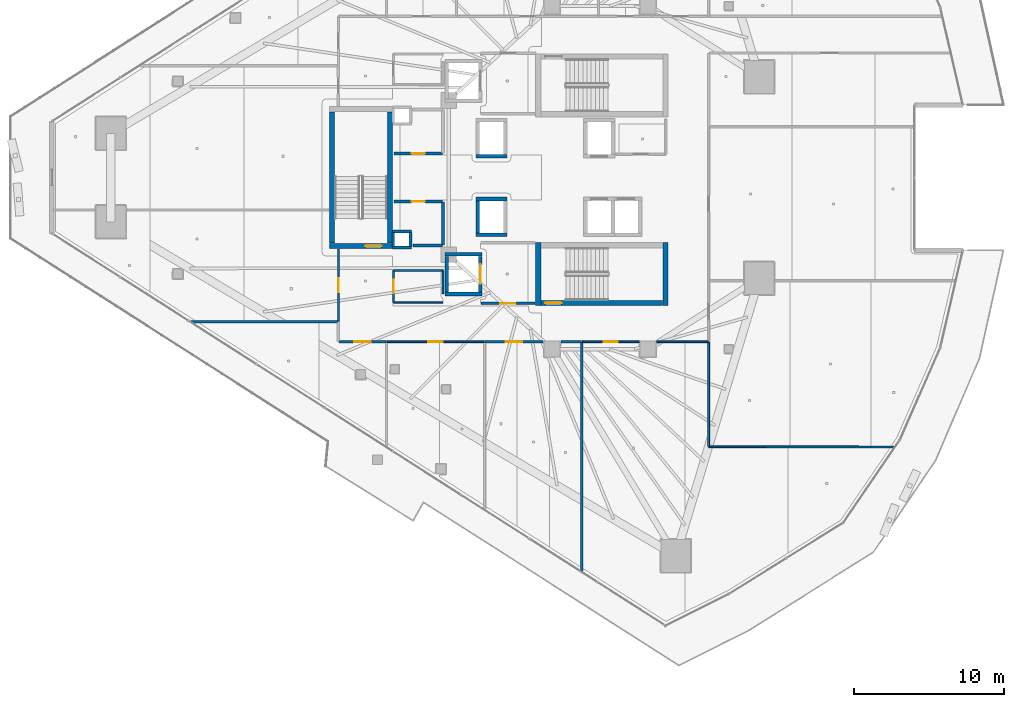
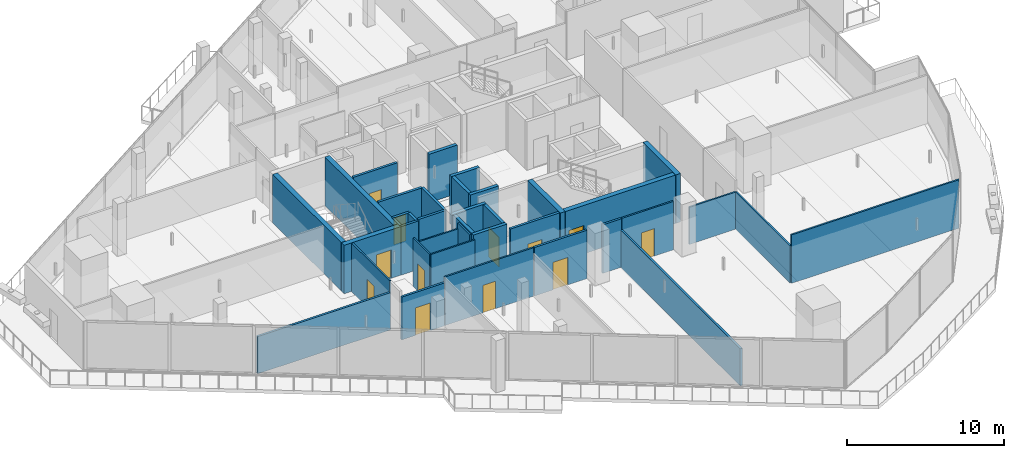
# One storey, part 25 of 39: 38 walls, 12 doors, 12 openings.
"""IFC4 building model written with IfcOpenShell, lengths in metres."""

from ifc_helpers import new_model, si_unit, direction, frame, frame_2d, origin, place, context, subcontext, project, spatial, rectangle, extrude, material, layer, layer_set, type_object, element, fill, save


model = new_model("IFC4")

# Units and contexts
model_context = context("Model", 3, precision=1e-05, world=origin(), true_north=direction((0.0, 1.0)))
body_context = subcontext(model_context, "Body", "Model", "MODEL_VIEW")
ifc_project = project(units=[si_unit("LENGTHUNIT", "METRE"), si_unit("AREAUNIT", "SQUARE_METRE"), si_unit("VOLUMEUNIT", "CUBIC_METRE"), si_unit("PLANEANGLEUNIT", "RADIAN"), si_unit("MASSUNIT", "GRAM", prefix="KILO")], contexts=[model_context])

# Site, building, storey
site_placement = place(None, origin())
site = spatial("IfcSite", under=ifc_project, at=site_placement, CompositionType="ELEMENT")
building_placement = place(site_placement, origin())
building = spatial("IfcBuilding", under=site, at=building_placement, Name="Qorvath Tower", CompositionType="ELEMENT")
storey_placement = place(building_placement, frame((0.0, 0.0, 142.199951171875)))
storey = spatial("IfcBuildingStorey", under=building, at=storey_placement, Name="L32", CompositionType="ELEMENT", Elevation=142.199951171875)

# Walls
ifc_material_1 = material(Name="Gypsum shaftliner on steel studs", Category="steel")
ifc_layer_1 = layer(ifc_material_1, 0.179931640625)
ifc_layer_set_1 = layer_set([ifc_layer_1], Name="FW-LOBBY")
wall_type_1 = type_object("IfcWallType", Name="FW-LOBBY", PredefinedType="PARTITIONING", material=ifc_layer_set_1)
for number, where, z_axis, x_axis, name in (
    (1, (-32.989990234375, -4.675048828125, 0.0), (0.0, 0.0, 1.0), (-1.0, 0.0, 0.0), "MEP Riser Shaft Enclosure Wall S-L32-S"),
    (2, (-34.260009765625, -3.594970703125, 0.0), (0.0, 0.0, 1.0), (1.0, 0.0, 0.0), "MEP Riser Shaft Enclosure Wall S-L32-N"),
):
    element("IfcWall", number, at=place(storey_placement, frame(where, z_axis=z_axis, x_axis=x_axis)), inside=storey, type_object=wall_type_1, Name=name, PredefinedType="PARTITIONING", context=body_context, shape_type="SweptSolid", body=[
        extrude(rectangle(XDim=1.27001953125, YDim=0.179931640625, at=frame_2d((0.635009765625, 0.0))), origin(), (0.0, 0.0, 1.0), 3.780029296875),
    ])
for number, where, z_axis, x_axis, name in (
    (3, (-34.205078125, -4.610107421875, 0.0), (0.0, 0.0, 1.0), (0.0, 1.0, 0.0), "MEP Riser Shaft Enclosure Wall S-L32-W"),
    (4, (-33.044921875, -3.659912109375, 0.0), (0.0, 0.0, 1.0), (0.0, -1.0, 0.0), "MEP Riser Shaft Enclosure Wall S-L32-E"),
):
    element("IfcWall", number, at=place(storey_placement, frame(where, z_axis=z_axis, x_axis=x_axis)), inside=storey, type_object=wall_type_1, Name=name, PredefinedType="PARTITIONING", context=body_context, shape_type="SweptSolid", body=[
        extrude(rectangle(XDim=0.9501953125, YDim=0.179931640625, at=frame_2d((0.47509765625, 0.0))), origin(), (0.0, 0.0, 1.0), 3.780029296875),
    ])

# Wall, opening, door
wall_1_placement = place(storey_placement, frame((-28.35498046875, -8.39990234375, 0.0), z_axis=(0.0, 0.0, 1.0), x_axis=(1.0, 0.0, 0.0)))
wall_1 = element("IfcWall", 5, at=wall_1_placement, inside=storey, type_object=wall_type_1, Name="Interior Partition IW-T1-L32-003", PredefinedType="PARTITIONING", context=body_context, shape_type="SweptSolid", body=[
    extrude(rectangle(XDim=3.6220703125, YDim=0.179931640625, at=frame_2d((1.81103515625, 0.0))), origin(), (0.0, 0.0, 1.0), 3.780029296875),
])
opening_1_placement = place(wall_1_placement, frame((1.31103515625, 0.0, 0.0)))
opening_1 = element("IfcOpeningElement", 6, at=opening_1_placement, cuts=wall_1, Name="Opening D-T1-L32-21", PredefinedType="OPENING", context=body_context, shape_type="SweptSolid", body=[
    extrude(rectangle(XDim=1.0, YDim=2.14990234375, at=frame_2d((0.5, 1.074951171875))), frame((0.0, 0.10009765625, 0.0), z_axis=(0.0, -1.0, 0.0), x_axis=(1.0, 0.0, 0.0)), (0.0, 0.0, 1.0), 0.199951171875),
])
ifc_material_2 = material(Name="Painted galvanised hollow metal", Category="steel")
door_type_1 = type_object("IfcDoorType", Name="FD-60", OperationType="NOTDEFINED", PredefinedType="DOOR", material=ifc_material_2)
door_1_placement = place(opening_1_placement, origin())
door_1 = element("IfcDoor", 7, at=door_1_placement, inside=storey, type_object=door_type_1, Name="Lobby Fire Service Elevator South Door D-T1-L32-21", OperationType="SINGLE_SWING_RIGHT", OverallHeight=2.14990234375, OverallWidth=1.0, PredefinedType="DOOR", context=body_context, shape_type="SweptSolid", body=[
    extrude(rectangle(XDim=1.0, YDim=2.14990234375, at=frame_2d((0.5, 1.074951171875))), frame((0.0, 0.02490234375, 0.0), z_axis=(0.0, -1.0, 0.0), x_axis=(1.0, 0.0, 0.0)), (0.0, 0.0, 1.0), 0.050048828125),
])
fill(opening_1, door_1)

wall_2_placement = place(storey_placement, frame((-34.15478515625, 1.60009765625, 0.0), z_axis=(0.0, 0.0, 1.0), x_axis=(1.0, 0.0, 0.0)))
wall_2 = element("IfcWall", 8, at=wall_2_placement, inside=storey, type_object=wall_type_1, Name="Interior Partition IW-T1-L32-015", PredefinedType="PARTITIONING", context=body_context, shape_type="SweptSolid", body=[
    extrude(rectangle(XDim=3.25, YDim=0.179931640625, at=frame_2d((1.625, 0.0))), origin(), (0.0, 0.0, 1.0), 3.780029296875),
])
opening_2_placement = place(wall_2_placement, frame((1.18505859375, 0.0, 0.0)))
opening_2 = element("IfcOpeningElement", 9, at=opening_2_placement, cuts=wall_2, Name="Opening D-T1-L32-04", PredefinedType="OPENING", context=body_context, shape_type="SweptSolid", body=[
    extrude(rectangle(XDim=0.8798828125, YDim=2.10009765625, at=frame_2d((0.43994140625, 1.050048828125))), frame((0.0, 0.10009765625, 0.0), z_axis=(0.0, -1.0, 0.0), x_axis=(1.0, 0.0, 0.0)), (0.0, 0.0, 1.0), 0.199951171875),
])
ifc_material_3 = material(Name="Painted galvanised hollow metal", Category="steel")
door_type_2 = type_object("IfcDoorType", Name="FD-60N", OperationType="NOTDEFINED", PredefinedType="DOOR", material=ifc_material_3)
door_2_placement = place(opening_2_placement, origin())
door_2 = element("IfcDoor", 10, at=door_2_placement, inside=storey, type_object=door_type_2, Name="Core telecom and comms room L32 Door D-T1-L32-04", OperationType="SINGLE_SWING_LEFT", OverallHeight=2.10009765625, OverallWidth=0.8798828125, PredefinedType="DOOR", context=body_context, shape_type="SweptSolid", body=[
    extrude(rectangle(XDim=0.8798828125, YDim=2.10009765625, at=frame_2d((0.43994140625, 1.050048828125))), frame((0.0, 0.02490234375, 0.0), z_axis=(0.0, -1.0, 0.0), x_axis=(1.0, 0.0, 0.0)), (0.0, 0.0, 1.0), 0.050048828125),
])
fill(opening_2, door_2)

# Walls
wall_3_placement = place(storey_placement, frame((-32.8798828125, -4.5400390625, 0.0), z_axis=(0.0, 0.0, 1.0), x_axis=(1.0, 0.0, 0.0)))
element("IfcWall", 11, at=wall_3_placement, inside=storey, type_object=wall_type_1, Name="Interior Partition IW-T1-L32-018", PredefinedType="PARTITIONING", context=body_context, shape_type="SweptSolid", body=[
    extrude(rectangle(XDim=1.97509765625, YDim=0.179931640625, at=frame_2d((0.987548828125, 0.0))), origin(), (0.0, 0.0, 1.0), 3.780029296875),
])
wall_4_placement = place(storey_placement, frame((-30.8798828125, -4.514892578125, 0.0), z_axis=(0.0, 0.0, 1.0), x_axis=(0.0, 1.0, 0.0)))
element("IfcWall", 12, at=wall_4_placement, inside=storey, type_object=wall_type_1, Name="Interior Partition IW-T1-L32-019", PredefinedType="PARTITIONING", context=body_context, shape_type="SweptSolid", body=[
    extrude(rectangle(XDim=2.889892578125, YDim=0.179931640625, at=frame_2d((1.44482421875, 0.0))), origin(), (0.0, 0.0, 1.0), 3.780029296875),
])

# Wall, opening, door
wall_5_placement = place(storey_placement, frame((-30.90478515625, -1.60009765625, 0.0), z_axis=(0.0, 0.0, 1.0), x_axis=(-1.0, 0.0, 0.0)))
wall_5 = element("IfcWall", 13, at=wall_5_placement, inside=storey, type_object=wall_type_1, Name="Interior Partition IW-T1-L32-020", PredefinedType="PARTITIONING", context=body_context, shape_type="SweptSolid", body=[
    extrude(rectangle(XDim=3.25, YDim=0.179931640625, at=frame_2d((1.625, 0.0))), origin(), (0.0, 0.0, 1.0), 3.780029296875),
])
opening_3_placement = place(wall_5_placement, frame((1.18505859375, 0.0, 0.0)))
opening_3 = element("IfcOpeningElement", 14, at=opening_3_placement, cuts=wall_5, Name="Opening D-T1-L32-05", PredefinedType="OPENING", context=body_context, shape_type="SweptSolid", body=[
    extrude(rectangle(XDim=0.8798828125, YDim=2.10009765625, at=frame_2d((0.43994140625, 1.050048828125))), frame((0.0, 0.10009765625, 0.0), z_axis=(0.0, -1.0, 0.0), x_axis=(1.0, 0.0, 0.0)), (0.0, 0.0, 1.0), 0.199951171875),
])
door_3_placement = place(opening_3_placement, origin())
door_3 = element("IfcDoor", 15, at=door_3_placement, inside=storey, type_object=door_type_2, Name="Core housekeeping store L32 Door D-T1-L32-05", OperationType="SINGLE_SWING_RIGHT", OverallHeight=2.10009765625, OverallWidth=0.8798828125, PredefinedType="DOOR", context=body_context, shape_type="SweptSolid", body=[
    extrude(rectangle(XDim=0.8798828125, YDim=2.10009765625, at=frame_2d((0.43994140625, 1.050048828125))), frame((0.0, 0.02490234375, 0.0), z_axis=(0.0, -1.0, 0.0), x_axis=(1.0, 0.0, 0.0)), (0.0, 0.0, 1.0), 0.050048828125),
])
fill(opening_3, door_3)

ifc_material_4 = material(Name="Double acoustic gypsum board on steel studs", Category="steel")
ifc_layer_2 = layer(ifc_material_4, 0.159912109375)
ifc_layer_set_2 = layer_set([ifc_layer_2], Name="IW-ACOUSTIC-160")
wall_type_2 = type_object("IfcWallType", Name="IW-ACOUSTIC-160", PredefinedType="PARTITIONING", material=ifc_layer_set_2)
wall_6_placement = place(storey_placement, frame((-24.18994140625, -10.9580078125, 0.0), z_axis=(0.0, 0.0, 1.0), x_axis=(-1.0, 0.0, 0.0)))
wall_6 = element("IfcWall", 16, at=wall_6_placement, inside=storey, type_object=wall_type_2, Name="Interior Partition IW-T1-L32-036", PredefinedType="PARTITIONING", context=body_context, shape_type="SweptSolid", body=[
    extrude(rectangle(XDim=3.87890625, YDim=0.159912109375, at=frame_2d((1.939453125, 0.0))), origin(), (0.0, 0.0, 1.0), 3.780029296875),
])
opening_4_placement = place(wall_6_placement, frame((1.389404296875, 0.0, 0.0)))
opening_4 = element("IfcOpeningElement", 17, at=opening_4_placement, cuts=wall_6, Name="Opening D-T1-L32-11", PredefinedType="OPENING", context=body_context, shape_type="SweptSolid", body=[
    extrude(rectangle(XDim=1.10009765625, YDim=2.14990234375, at=frame_2d((0.550048828125, 1.074951171875))), frame((0.0, 0.08984375, 0.0), z_axis=(0.0, -1.0, 0.0), x_axis=(1.0, 0.0, 0.0)), (0.0, 0.0, 1.0), 0.179931640625),
])
ifc_material_5 = material(Name="Anodised aluminium acoustic framed glass", Category="aluminium")
door_type_3 = type_object("IfcDoorType", Name="D-03", OperationType="NOTDEFINED", PredefinedType="DOOR", material=ifc_material_5)
door_4_placement = place(opening_4_placement, origin())
door_4 = element("IfcDoor", 18, at=door_4_placement, inside=storey, type_object=door_type_3, Name="L32-06 Digital Visualization Suite Door D-T1-L32-11", OperationType="SINGLE_SWING_RIGHT", OverallHeight=2.14990234375, OverallWidth=1.10009765625, PredefinedType="DOOR", context=body_context, shape_type="SweptSolid", body=[
    extrude(rectangle(XDim=1.10009765625, YDim=2.14990234375, at=frame_2d((0.550048828125, 1.074951171875))), frame((0.0, 0.02490234375, 0.0), z_axis=(0.0, -1.0, 0.0), x_axis=(1.0, 0.0, 0.0)), (0.0, 0.0, 1.0), 0.050048828125),
])
fill(opening_4, door_4)

# Walls
wall_7_placement = place(storey_placement, frame((-21.606201171875, -26.271240234375, 0.0), z_axis=(0.0, 0.0, 1.0), x_axis=(0.0, 1.0, 0.0)))
element("IfcWall", 19, at=wall_7_placement, inside=storey, type_object=wall_type_2, Name="Interior Partition IW-T1-L32-037", PredefinedType="PARTITIONING", context=body_context, shape_type="SweptSolid", body=[
    extrude(rectangle(XDim=15.288330078125, YDim=0.159912109375, at=frame_2d((7.64404296875, 0.0))), origin(), (0.0, 0.0, 1.0), 2.89501953125),
])
wall_8_placement = place(storey_placement, frame((-21.631103515625, -10.9580078125, 0.0), z_axis=(0.0, 0.0, 1.0), x_axis=(-1.0, 0.0, 0.0)))
element("IfcWall", 20, at=wall_8_placement, inside=storey, type_object=wall_type_2, Name="Interior Partition IW-T1-L32-038", PredefinedType="PARTITIONING", context=body_context, shape_type="SweptSolid", body=[
    extrude(rectangle(XDim=1.37890625, YDim=0.159912109375, at=frame_2d((0.689453125, 0.0))), origin(), (0.0, 0.0, 1.0), 3.780029296875),
])

# Wall, opening, door
wall_9_placement = place(storey_placement, frame((-34.68310546875, -10.9580078125, 0.0), z_axis=(0.0, 0.0, 1.0), x_axis=(-1.0, 0.0, 0.0)))
wall_9 = element("IfcWall", 21, at=wall_9_placement, inside=storey, type_object=wall_type_2, Name="Interior Partition IW-T1-L32-051", PredefinedType="PARTITIONING", context=body_context, shape_type="SweptSolid", body=[
    extrude(rectangle(XDim=3.14990234375, YDim=0.159912109375, at=frame_2d((1.574951171875, 0.0))), origin(), (0.0, 0.0, 1.0), 3.34423828125),
])
opening_5_placement = place(wall_9_placement, frame((1.02490234375, 0.0, 0.0)))
opening_5 = element("IfcOpeningElement", 22, at=opening_5_placement, cuts=wall_9, Name="Opening D-T1-L32-16", PredefinedType="OPENING", context=body_context, shape_type="SweptSolid", body=[
    extrude(rectangle(XDim=1.10009765625, YDim=2.14990234375, at=frame_2d((0.550048828125, 1.074951171875))), frame((0.0, 0.08984375, 0.0), z_axis=(0.0, -1.0, 0.0), x_axis=(1.0, 0.0, 0.0)), (0.0, 0.0, 1.0), 0.179931640625),
])
door_5_placement = place(opening_5_placement, origin())
door_5 = element("IfcDoor", 23, at=door_5_placement, inside=storey, type_object=door_type_3, Name="L32-11 Client Services Office Door D-T1-L32-16", OperationType="SINGLE_SWING_LEFT", OverallHeight=2.14990234375, OverallWidth=1.10009765625, PredefinedType="DOOR", context=body_context, shape_type="SweptSolid", body=[
    extrude(rectangle(XDim=1.10009765625, YDim=2.14990234375, at=frame_2d((0.550048828125, 1.074951171875))), frame((0.0, 0.02490234375, 0.0), z_axis=(0.0, -1.0, 0.0), x_axis=(1.0, 0.0, 0.0)), (0.0, 0.0, 1.0), 0.050048828125),
])
fill(opening_5, door_5)

# Wall
wall_10_placement = place(storey_placement, frame((-37.8828125, -9.62353515625, 0.0), z_axis=(0.0, 0.0, 1.0), x_axis=(-1.0, 0.0, 0.0)))
element("IfcWall", 24, at=wall_10_placement, inside=storey, type_object=wall_type_2, Name="Interior Partition IW-T1-L32-053", PredefinedType="PARTITIONING", context=body_context, shape_type="SweptSolid", body=[
    extrude(rectangle(XDim=9.816162109375, YDim=0.159912109375, at=frame_2d((4.908203125, 0.0))), origin(), (0.0, 0.0, 1.0), 2.89990234375),
])

# Wall, opening, door
ifc_material_6 = material(Name="Gypsum board on metal studs with mineral wool", Category="gypsum")
ifc_layer_3 = layer(ifc_material_6, 0.125)
ifc_layer_set_3 = layer_set([ifc_layer_3], Name="IW-PART-125")
wall_type_3 = type_object("IfcWallType", Name="IW-PART-125", PredefinedType="PARTITIONING", material=ifc_layer_set_3)
wall_11_placement = place(storey_placement, frame((-28.126708984375, -10.9580078125, 0.0), z_axis=(0.0, 0.0, 1.0), x_axis=(-1.0, 0.0, 0.0)))
wall_11 = element("IfcWall", 25, at=wall_11_placement, inside=storey, type_object=wall_type_3, Name="Interior Partition IW-T1-L32-033", PredefinedType="PARTITIONING", context=body_context, shape_type="SweptSolid", body=[
    extrude(rectangle(XDim=6.498291015625, YDim=0.125, at=frame_2d((3.2490234375, 0.0))), origin(), (0.0, 0.0, 1.0), 3.780029296875),
])
opening_6_placement = place(wall_11_placement, frame((2.774169921875, 0.0, 0.0)))
opening_6 = element("IfcOpeningElement", 26, at=opening_6_placement, cuts=wall_11, Name="Opening D-T1-L32-10", PredefinedType="OPENING", context=body_context, shape_type="SweptSolid", body=[
    extrude(rectangle(XDim=0.949951171875, YDim=2.14990234375, at=frame_2d((0.47509765625, 1.074951171875))), frame((0.0, 0.072509765625, 0.0), z_axis=(0.0, -1.0, 0.0), x_axis=(1.0, 0.0, 0.0)), (0.0, 0.0, 1.0), 0.14501953125),
])
ifc_material_7 = material(Name="Solid-core American white oak veneer", Category="wood")
door_type_4 = type_object("IfcDoorType", Name="D-01", OperationType="NOTDEFINED", PredefinedType="DOOR", material=ifc_material_7)
door_6_placement = place(opening_6_placement, origin())
door_6 = element("IfcDoor", 27, at=door_6_placement, inside=storey, type_object=door_type_4, Name="L32-05 Breakout Reading Alcove Door D-T1-L32-10", OperationType="SINGLE_SWING_LEFT", OverallHeight=2.14990234375, OverallWidth=0.949951171875, PredefinedType="DOOR", context=body_context, shape_type="SweptSolid", body=[
    extrude(rectangle(XDim=0.949951171875, YDim=2.14990234375, at=frame_2d((0.47509765625, 1.074951171875))), frame((0.0, 0.02490234375, 0.0), z_axis=(0.0, -1.0, 0.0), x_axis=(1.0, 0.0, 0.0)), (0.0, 0.0, 1.0), 0.050048828125),
])
fill(opening_6, door_6)

# Walls
wall_12_placement = place(storey_placement, frame((-0.784423828125, -17.984130859375, 0.0), z_axis=(0.0, 0.0, 1.0), x_axis=(-0.999999121527, 0.001325497876, 0.0)))
element("IfcWall", 28, at=wall_12_placement, inside=storey, type_object=wall_type_3, Name="Interior Partition IW-T1-L32-039", PredefinedType="PARTITIONING", context=body_context, shape_type="SweptSolid", body=[
    extrude(rectangle(XDim=12.340576171875, YDim=0.125, at=frame_2d((6.17041015625, 0.0))), origin(), (0.0, 0.0, 1.0), 3.780029296875),
])
wall_13_placement = place(storey_placement, frame((-13.14990234375, -17.94287109375, 0.0), z_axis=(0.0, 0.0, 1.0), x_axis=(0.0, 1.0, 0.0)))
element("IfcWall", 29, at=wall_13_placement, inside=storey, type_object=wall_type_3, Name="Interior Partition IW-T1-L32-040", PredefinedType="PARTITIONING", context=body_context, shape_type="SweptSolid", body=[
    extrude(rectangle(XDim=6.9599609375, YDim=0.125, at=frame_2d((3.47998046875, 0.0))), origin(), (0.0, 0.0, 1.0), 2.89990234375),
])
wall_14_placement = place(storey_placement, frame((-13.1748046875, -10.9580078125, 0.0), z_axis=(0.0, 0.0, 1.0), x_axis=(-1.0, 0.0, 0.0)))
element("IfcWall", 30, at=wall_14_placement, inside=storey, type_object=wall_type_3, Name="Interior Partition IW-T1-L32-041", PredefinedType="PARTITIONING", context=body_context, shape_type="SweptSolid", body=[
    extrude(rectangle(XDim=3.435302734375, YDim=0.125, at=frame_2d((1.7177734375, 0.0))), origin(), (0.0, 0.0, 1.0), 2.89501953125),
])

# Wall, opening, door
wall_15_placement = place(storey_placement, frame((-17.7900390625, -10.9580078125, 0.0), z_axis=(0.0, 0.0, 1.0), x_axis=(-1.0, 0.0, 0.0)))
wall_15 = element("IfcWall", 31, at=wall_15_placement, inside=storey, type_object=wall_type_3, Name="Interior Partition IW-T1-L32-042", PredefinedType="PARTITIONING", context=body_context, shape_type="SweptSolid", body=[
    extrude(rectangle(XDim=3.783447265625, YDim=0.125, at=frame_2d((1.8916015625, 0.0))), origin(), (0.0, 0.0, 1.0), 3.780029296875),
])
opening_7_placement = place(wall_15_placement, frame((1.416748046875, 0.0, 0.0)))
opening_7 = element("IfcOpeningElement", 32, at=opening_7_placement, cuts=wall_15, Name="Opening D-T1-L32-12", PredefinedType="OPENING", context=body_context, shape_type="SweptSolid", body=[
    extrude(rectangle(XDim=0.949951171875, YDim=2.14990234375, at=frame_2d((0.47509765625, 1.074951171875))), frame((0.0, 0.072509765625, 0.0), z_axis=(0.0, -1.0, 0.0), x_axis=(1.0, 0.0, 0.0)), (0.0, 0.0, 1.0), 0.14501953125),
])
door_7_placement = place(opening_7_placement, origin())
door_7 = element("IfcDoor", 33, at=door_7_placement, inside=storey, type_object=door_type_4, Name="L32-07 Quantitative Research Studio Door D-T1-L32-12", OperationType="SINGLE_SWING_LEFT", OverallHeight=2.14990234375, OverallWidth=0.949951171875, PredefinedType="DOOR", context=body_context, shape_type="SweptSolid", body=[
    extrude(rectangle(XDim=0.949951171875, YDim=2.14990234375, at=frame_2d((0.47509765625, 1.074951171875))), frame((0.0, 0.02490234375, 0.0), z_axis=(0.0, -1.0, 0.0), x_axis=(1.0, 0.0, 0.0)), (0.0, 0.0, 1.0), 0.050048828125),
])
fill(opening_7, door_7)

wall_16_placement = place(storey_placement, frame((-37.85791015625, -9.590576171875, 0.0), z_axis=(0.0, 0.0, 1.0), x_axis=(0.0, 1.0, 0.0)))
wall_16 = element("IfcWall", 34, at=wall_16_placement, inside=storey, type_object=wall_type_3, Name="Interior Partition IW-T1-L32-054", PredefinedType="PARTITIONING", context=body_context, shape_type="SweptSolid", body=[
    extrude(rectangle(XDim=4.807373046875, YDim=0.125, at=frame_2d((2.40380859375, 0.0))), origin(), (0.0, 0.0, 1.0), 3.780029296875),
])
opening_8_placement = place(wall_16_placement, frame((1.9287109375, 0.0, 0.0)))
opening_8 = element("IfcOpeningElement", 35, at=opening_8_placement, cuts=wall_16, Name="Opening D-T1-L32-17", PredefinedType="OPENING", context=body_context, shape_type="SweptSolid", body=[
    extrude(rectangle(XDim=0.949951171875, YDim=2.14990234375, at=frame_2d((0.47509765625, 1.074951171875))), frame((0.0, 0.072509765625, 0.0), z_axis=(0.0, -1.0, 0.0), x_axis=(1.0, 0.0, 0.0)), (0.0, 0.0, 1.0), 0.14501953125),
])
door_8_placement = place(opening_8_placement, origin())
door_8 = element("IfcDoor", 36, at=door_8_placement, inside=storey, type_object=door_type_4, Name="L32-12 Project Collaboration Workspace Door D-T1-L32-17", OperationType="SINGLE_SWING_RIGHT", OverallHeight=2.14990234375, OverallWidth=0.949951171875, PredefinedType="DOOR", context=body_context, shape_type="SweptSolid", body=[
    extrude(rectangle(XDim=0.949951171875, YDim=2.14990234375, at=frame_2d((0.47509765625, 1.074951171875))), frame((0.0, 0.02490234375, 0.0), z_axis=(0.0, -1.0, 0.0), x_axis=(1.0, 0.0, 0.0)), (0.0, 0.0, 1.0), 0.050048828125),
])
fill(opening_8, door_8)

ifc_material_8 = material(Name="Moisture-resistant cement board on metal studs", Category="gypsum")
ifc_layer_4 = layer(ifc_material_8, 0.110107421875)
ifc_layer_set_4 = layer_set([ifc_layer_4], Name="IW-WC-110")
wall_type_4 = type_object("IfcWallType", Name="IW-WC-110", PredefinedType="PARTITIONING", material=ifc_layer_set_4)
wall_17_placement = place(storey_placement, frame((-34.179931640625, -6.22509765625, 0.0), z_axis=(0.0, 0.0, 1.0), x_axis=(0.0, -1.0, 0.0)))
wall_17 = element("IfcWall", 37, at=wall_17_placement, inside=storey, type_object=wall_type_4, Name="Interior Partition IW-T1-L32-009", PredefinedType="PARTITIONING", context=body_context, shape_type="SweptSolid", body=[
    extrude(rectangle(XDim=2.10009765625, YDim=0.110107421875, at=frame_2d((1.050048828125, 0.0))), origin(), (0.0, 0.0, 1.0), 3.780029296875),
])
opening_9_placement = place(wall_17_placement, frame((0.610107421875, 0.0, 0.0)))
opening_9 = element("IfcOpeningElement", 38, at=opening_9_placement, cuts=wall_17, Name="Opening D-T1-L32-02", PredefinedType="OPENING", context=body_context, shape_type="SweptSolid", body=[
    extrude(rectangle(XDim=0.8798828125, YDim=2.10009765625, at=frame_2d((0.43994140625, 1.050048828125))), frame((0.0, 0.06494140625, 0.0), z_axis=(0.0, -1.0, 0.0), x_axis=(1.0, 0.0, 0.0)), (0.0, 0.0, 1.0), 0.130126953125),
])
ifc_material_9 = material(Name="Solid-core oak with acoustic drop seal", Category="wood")
door_type_5 = type_object("IfcDoorType", Name="D-02", OperationType="NOTDEFINED", PredefinedType="DOOR", material=ifc_material_9)
door_9_placement = place(opening_9_placement, origin())
door_9 = element("IfcDoor", 39, at=door_9_placement, inside=storey, type_object=door_type_5, Name="Accessible WC South L32 Door D-T1-L32-02", OperationType="SINGLE_SWING_LEFT", OverallHeight=2.10009765625, OverallWidth=0.8798828125, PredefinedType="DOOR", context=body_context, shape_type="SweptSolid", body=[
    extrude(rectangle(XDim=0.8798828125, YDim=2.10009765625, at=frame_2d((0.43994140625, 1.050048828125))), frame((0.0, 0.02490234375, 0.0), z_axis=(0.0, -1.0, 0.0), x_axis=(1.0, 0.0, 0.0)), (0.0, 0.0, 1.0), 0.050048828125),
])
fill(opening_9, door_9)

# Walls
wall_18_placement = place(storey_placement, frame((-34.15478515625, -8.35009765625, 0.0), z_axis=(0.0, 0.0, 1.0), x_axis=(1.0, 0.0, 0.0)))
element("IfcWall", 40, at=wall_18_placement, inside=storey, type_object=wall_type_4, Name="Interior Partition IW-T1-L32-010", PredefinedType="PARTITIONING", context=body_context, shape_type="SweptSolid", body=[
    extrude(rectangle(XDim=3.25, YDim=0.110107421875, at=frame_2d((1.625, 0.0))), origin(), (0.0, 0.0, 1.0), 3.780029296875),
])
wall_19_placement = place(storey_placement, frame((-30.8798828125, -7.742919921875, 0.0), z_axis=(0.0, 0.0, 1.0), x_axis=(0.0, 1.0, 0.0)))
element("IfcWall", 41, at=wall_19_placement, inside=storey, type_object=wall_type_4, Name="Interior Partition IW-T1-L32-011", PredefinedType="PARTITIONING", context=body_context, shape_type="SweptSolid", body=[
    extrude(rectangle(XDim=1.517822265625, YDim=0.110107421875, at=frame_2d((0.7587890625, 0.0))), origin(), (0.0, 0.0, 1.0), 3.780029296875),
])
wall_20_placement = place(storey_placement, frame((-30.90478515625, -6.199951171875, 0.0), z_axis=(0.0, 0.0, 1.0), x_axis=(-1.0, 0.0, 0.0)))
element("IfcWall", 42, at=wall_20_placement, inside=storey, type_object=wall_type_4, Name="Interior Partition IW-T1-L32-012", PredefinedType="PARTITIONING", context=body_context, shape_type="SweptSolid", body=[
    extrude(rectangle(XDim=3.25, YDim=0.110107421875, at=frame_2d((1.625, 0.0))), origin(), (0.0, 0.0, 1.0), 3.34423828125),
])
ifc_material_10 = material(Name="Concrete C60/75", Category="concrete")
ifc_layer_5 = layer(ifc_material_10, 0.260009765625)
ifc_layer_set_5 = layer_set([ifc_layer_5], Name="SW-SHAFT")
wall_type_5 = type_object("IfcWallType", Name="SW-SHAFT", PredefinedType="SHEAR", material=ifc_layer_set_5)
for number, where, z_axis, x_axis, name in (
    (43, (-28.260009765625, -7.77001953125, 0.0), (0.0, 0.0, 1.0), (-1.0, 0.0, 0.0), "Hoistway Wall FSAE-2 L32 S"),
    (44, (-30.739990234375, -5.1298828125, 0.0), (0.0, 0.0, 1.0), (1.0, 0.0, 0.0), "Hoistway Wall FSAE-2 L32 N"),
):
    element("IfcWall", number, at=place(storey_placement, frame(where, z_axis=z_axis, x_axis=x_axis)), inside=storey, type_object=wall_type_5, Name=name, PredefinedType="SHEAR", context=body_context, shape_type="SweptSolid", body=[
        extrude(rectangle(XDim=2.47998046875, YDim=0.239990234375, at=frame_2d((1.239990234375, 0.0))), origin(), (0.0, 0.0, 1.0), 3.780029296875),
    ])
wall_21_placement = place(storey_placement, frame((-30.6201171875, -7.637939453125, 0.0), z_axis=(0.0, 0.0, 1.0), x_axis=(0.0, 1.0, 0.0)))
element("IfcWall", 45, at=wall_21_placement, inside=storey, type_object=wall_type_5, Name="Hoistway Wall FSAE-2 L32 W", PredefinedType="SHEAR", context=body_context, shape_type="SweptSolid", body=[
    extrude(rectangle(XDim=2.3759765625, YDim=0.239990234375, at=frame_2d((1.18798828125, 0.0))), origin(), (0.0, 0.0, 1.0), 3.780029296875),
])

# Wall, opening, door
wall_22_placement = place(storey_placement, frame((-28.3798828125, -5.261962890625, 0.0), z_axis=(0.0, 0.0, 1.0), x_axis=(0.0, -1.0, 0.0)))
wall_22 = element("IfcWall", 46, at=wall_22_placement, inside=storey, type_object=wall_type_5, Name="Hoistway Wall FSAE-2 L32 E", PredefinedType="SHEAR", context=body_context, shape_type="SweptSolid", body=[
    extrude(rectangle(XDim=2.3759765625, YDim=0.239990234375, at=frame_2d((1.18798828125, 0.0))), origin(), (0.0, 0.0, 1.0), 3.780029296875),
])
opening_10_placement = place(wall_22_placement, frame((0.5380859375, 0.0, 0.0)))
opening_10 = element("IfcOpeningElement", 47, at=opening_10_placement, cuts=wall_22, Name="Opening LD-FSAE-2-L32", PredefinedType="OPENING", context=body_context, shape_type="SweptSolid", body=[
    extrude(rectangle(XDim=1.300048828125, YDim=2.300048828125, at=frame_2d((0.64990234375, 1.14990234375))), frame((0.0, 0.1298828125, 0.0), z_axis=(0.0, -1.0, 0.0), x_axis=(1.0, 0.0, 0.0)), (0.0, 0.0, 1.0), 0.260009765625),
])
ifc_material_11 = material(Name="Brushed stainless steel AISI 316", Category="steel")
door_type_6 = type_object("IfcDoorType", Name="LD-02", OperationType="NOTDEFINED", PredefinedType="DOOR", material=ifc_material_11)
door_10_placement = place(opening_10_placement, origin())
door_10 = element("IfcDoor", 48, at=door_10_placement, inside=storey, type_object=door_type_6, Name="Elevator Landing Sliding Door LD-FSAE-2-L32", OperationType="DOUBLE_DOOR_SLIDING", OverallHeight=2.300048828125, OverallWidth=1.300048828125, PredefinedType="DOOR", context=body_context, shape_type="SweptSolid", body=[
    extrude(rectangle(XDim=1.300048828125, YDim=2.300048828125, at=frame_2d((0.64990234375, 1.14990234375))), frame((0.0, 0.02490234375, 0.0), z_axis=(0.0, -1.0, 0.0), x_axis=(1.0, 0.0, 0.0)), (0.0, 0.0, 1.0), 0.050048828125),
])
fill(opening_10, door_10)

# Walls
for number, where, z_axis, x_axis, name in (
    (49, (-26.610107421875, 1.429931640625, 0.0), (0.0, 0.0, 1.0), (-1.0, 0.0, 0.0), "Hoistway Wall PS-1 L32 S"),
    (50, (-26.610107421875, -3.820068359375, 0.0), (0.0, 0.0, 1.0), (-1.0, 0.0, 0.0), "Hoistway Wall PS-2 L32 S"),
    (51, (-28.68994140625, -1.429931640625, 0.0), (0.0, 0.0, 1.0), (1.0, 0.0, 0.0), "Hoistway Wall PS-2 L32 N"),
):
    element("IfcWall", number, at=place(storey_placement, frame(where, z_axis=z_axis, x_axis=x_axis)), inside=storey, type_object=wall_type_5, Name=name, PredefinedType="SHEAR", context=body_context, shape_type="SweptSolid", body=[
        extrude(rectangle(XDim=2.079833984375, YDim=0.239990234375, at=frame_2d((1.0400390625, 0.0))), origin(), (0.0, 0.0, 1.0), 3.780029296875),
    ])
wall_23_placement = place(storey_placement, frame((-28.570068359375, -3.68798828125, 0.0), z_axis=(0.0, 0.0, 1.0), x_axis=(0.0, 1.0, 0.0)))
element("IfcWall", 52, at=wall_23_placement, inside=storey, type_object=wall_type_5, Name="Hoistway Wall PS-2 L32 W", PredefinedType="SHEAR", context=body_context, shape_type="SweptSolid", body=[
    extrude(rectangle(XDim=2.1259765625, YDim=0.239990234375, at=frame_2d((1.06298828125, 0.0))), origin(), (0.0, 0.0, 1.0), 3.780029296875),
])
ifc_material_12 = material(Name="Concrete C60/75", Category="concrete")
ifc_layer_6 = layer(ifc_material_12, 0.35009765625)
ifc_layer_set_6 = layer_set([ifc_layer_6], Name="SW-STAIR")
wall_type_6 = type_object("IfcWallType", Name="SW-STAIR", PredefinedType="SHEAR", material=ifc_layer_set_6)
for number, where, z_axis, x_axis, name in (
    (53, (-24.52490234375, -4.340087890625, 0.0), (0.0, 0.0, 1.0), (0.0, -1.0, 0.0), "Stair TS2 Shear Wall L32 NEAR"),
    (54, (-16.02490234375, -8.550048828125, 0.0), (0.0, 0.0, 1.0), (0.0, 1.0, 0.0), "Stair TS2 Shear Wall L32 FAR"),
):
    element("IfcWall", number, at=place(storey_placement, frame(where, z_axis=z_axis, x_axis=x_axis)), inside=storey, type_object=wall_type_6, Name=name, PredefinedType="SHEAR", context=body_context, shape_type="SweptSolid", body=[
        extrude(rectangle(XDim=4.2099609375, YDim=0.35009765625, at=frame_2d((2.10498046875, 0.0))), origin(), (0.0, 0.0, 1.0), 3.780029296875),
    ])

# Wall, opening, door
wall_24_placement = place(storey_placement, frame((-24.3349609375, -8.375, 0.0), z_axis=(0.0, 0.0, 1.0), x_axis=(1.0, 0.0, 0.0)))
wall_24 = element("IfcWall", 55, at=wall_24_placement, inside=storey, type_object=wall_type_6, Name="Stair TS2 Shear Wall L32 LEFT", PredefinedType="SHEAR", context=body_context, shape_type="SweptSolid", body=[
    extrude(rectangle(XDim=8.119873046875, YDim=0.35009765625, at=frame_2d((4.06005859375, 0.0))), origin(), (0.0, 0.0, 1.0), 3.780029296875),
])
opening_11_placement = place(wall_24_placement, frame((0.280029296875, 0.0, 0.0)))
opening_11 = element("IfcOpeningElement", 56, at=opening_11_placement, cuts=wall_24, Name="Opening D-TS2-L32", PredefinedType="OPENING", context=body_context, shape_type="SweptSolid", body=[
    extrude(rectangle(XDim=1.10009765625, YDim=2.199951171875, at=frame_2d((0.550048828125, 1.10009765625))), frame((0.0, 0.18505859375, 0.0), z_axis=(0.0, -1.0, 0.0), x_axis=(1.0, 0.0, 0.0)), (0.0, 0.0, 1.0), 0.3701171875),
])
ifc_material_13 = material(Name="Painted galvanised hollow metal", Category="steel")
door_type_7 = type_object("IfcDoorType", Name="FD-90", OperationType="NOTDEFINED", PredefinedType="DOOR", material=ifc_material_13)
door_11_placement = place(opening_11_placement, origin())
door_11 = element("IfcDoor", 57, at=door_11_placement, inside=storey, type_object=door_type_7, Name="Stair TS2 Fire Door L32", OperationType="SINGLE_SWING_LEFT", OverallHeight=2.199951171875, OverallWidth=1.10009765625, PredefinedType="DOOR", context=body_context, shape_type="SweptSolid", body=[
    extrude(rectangle(XDim=1.10009765625, YDim=2.199951171875, at=frame_2d((0.550048828125, 1.10009765625))), frame((0.0, 0.02490234375, 0.0), z_axis=(0.0, -1.0, 0.0), x_axis=(1.0, 0.0, 0.0)), (0.0, 0.0, 1.0), 0.050048828125),
])
fill(opening_11, door_11)

wall_25_placement = place(storey_placement, frame((-38.4599609375, -4.574951171875, 0.0), z_axis=(0.0, 0.0, 1.0), x_axis=(1.0, 0.0, 0.0)))
wall_25 = element("IfcWall", 58, at=wall_25_placement, inside=storey, type_object=wall_type_6, Name="Stair TS3 Shear Wall L32 NEAR", PredefinedType="SHEAR", context=body_context, shape_type="SweptSolid", body=[
    extrude(rectangle(XDim=4.2099609375, YDim=0.35009765625, at=frame_2d((2.10498046875, 0.0))), origin(), (0.0, 0.0, 1.0), 3.780029296875),
])
opening_12_placement = place(wall_25_placement, frame((2.389892578125, 0.0, 0.0)))
opening_12 = element("IfcOpeningElement", 59, at=opening_12_placement, cuts=wall_25, Name="Opening D-TS3-L32", PredefinedType="OPENING", context=body_context, shape_type="SweptSolid", body=[
    extrude(rectangle(XDim=1.10009765625, YDim=2.199951171875, at=frame_2d((0.550048828125, 1.10009765625))), frame((0.0, 0.18505859375, 0.0), z_axis=(0.0, -1.0, 0.0), x_axis=(1.0, 0.0, 0.0)), (0.0, 0.0, 1.0), 0.3701171875),
])
door_12_placement = place(opening_12_placement, origin())
door_12 = element("IfcDoor", 60, at=door_12_placement, inside=storey, type_object=door_type_7, Name="Stair TS3 Fire Door L32", OperationType="SINGLE_SWING_LEFT", OverallHeight=2.199951171875, OverallWidth=1.10009765625, PredefinedType="DOOR", context=body_context, shape_type="SweptSolid", body=[
    extrude(rectangle(XDim=1.10009765625, YDim=2.199951171875, at=frame_2d((0.550048828125, 1.10009765625))), frame((0.0, 0.02490234375, 0.0), z_axis=(0.0, -1.0, 0.0), x_axis=(1.0, 0.0, 0.0)), (0.0, 0.0, 1.0), 0.050048828125),
])
fill(opening_12, door_12)

# Walls
for number, where, z_axis, x_axis, name in (
    (61, (-34.425048828125, -4.385009765625, 0.0), (0.0, 0.0, 1.0), (0.0, 1.0, 0.0), "Stair TS3 Shear Wall L32 LEFT"),
    (62, (-38.284912109375, 4.385009765625, 0.0), (0.0, 0.0, 1.0), (0.0, -1.0, 0.0), "Stair TS3 Shear Wall L32 RIGHT"),
):
    element("IfcWall", number, at=place(storey_placement, frame(where, z_axis=z_axis, x_axis=x_axis)), inside=storey, type_object=wall_type_6, Name=name, PredefinedType="SHEAR", context=body_context, shape_type="SweptSolid", body=[
        extrude(rectangle(XDim=8.77001953125, YDim=0.35009765625, at=frame_2d((4.385009765625, 0.0))), origin(), (0.0, 0.0, 1.0), 3.780029296875),
    ])

save(model, "model.ifc")
